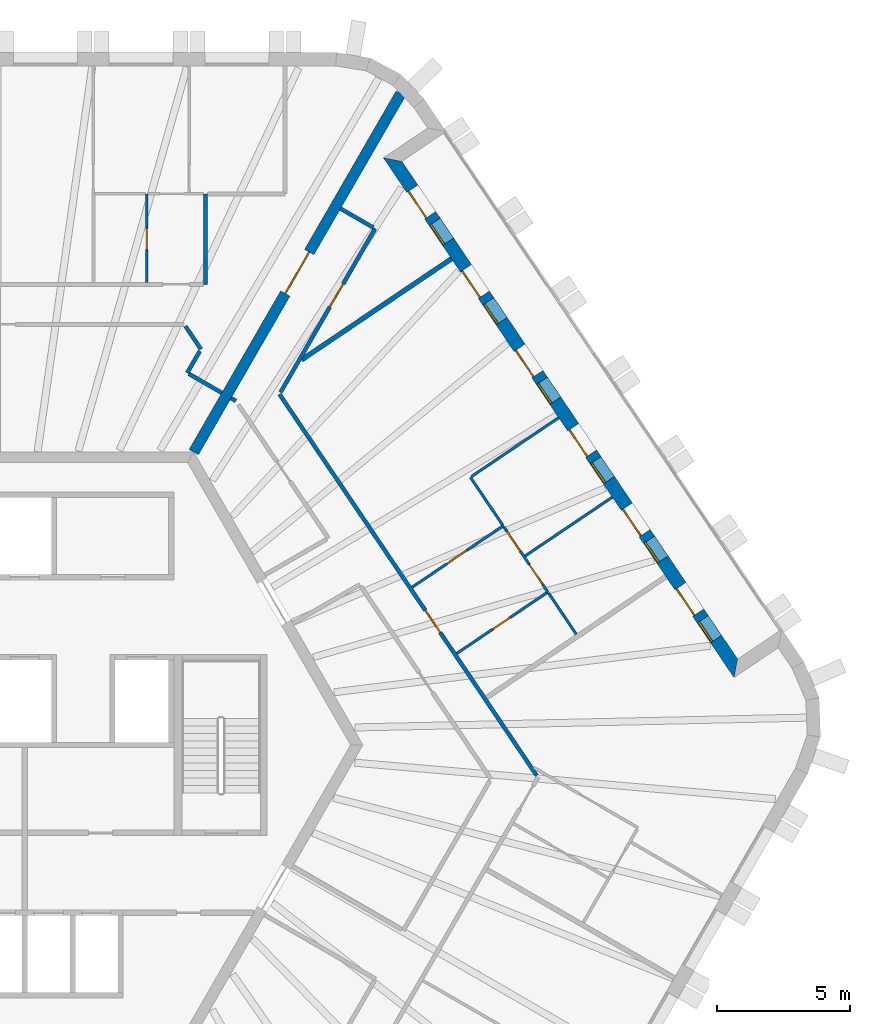
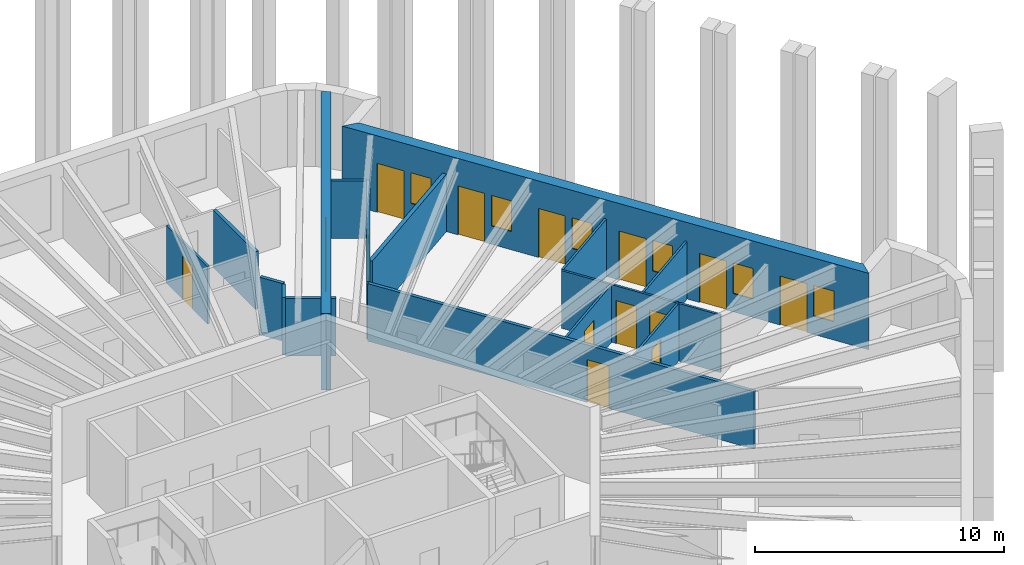
# One storey, part 10 of 13: 19 walls, 14 doors, 6 windows, 20 openings.
"""IFC4 building model written with IfcOpenShell, lengths in metres."""

from ifc_helpers import new_model, si_unit, direction, frame, frame_2d, origin, place, context, subcontext, project, spatial, polyline, rectangle, outline, extrude, material, layer, layer_set, type_object, element, fill, save


model = new_model("IFC4")

# Units and contexts
model_context = context("Model", 3, precision=1e-05, world=origin(), true_north=direction((0.0, 1.0)))
body_context = subcontext(model_context, "Body", "Model", "MODEL_VIEW")
ifc_project = project(units=[si_unit("LENGTHUNIT", "METRE"), si_unit("AREAUNIT", "SQUARE_METRE"), si_unit("VOLUMEUNIT", "CUBIC_METRE"), si_unit("PLANEANGLEUNIT", "RADIAN"), si_unit("MASSUNIT", "GRAM", prefix="KILO")], contexts=[model_context])

# Site, building, storey
site_placement = place(None, origin())
site = spatial("IfcSite", under=ifc_project, at=site_placement, CompositionType="ELEMENT")
building_placement = place(site_placement, origin())
building = spatial("IfcBuilding", under=site, at=building_placement, Name="Tarnside Tower", CompositionType="ELEMENT")
storey_placement = place(building_placement, frame((0.0, 0.0, 256.199951171875)))
storey = spatial("IfcBuildingStorey", under=building, at=storey_placement, Name="L61", CompositionType="ELEMENT", Elevation=256.199951171875)

# Wall, opening, door
ifc_material_1 = material(Name="Gypsum board partition on steel studs", Category="steel")
ifc_layer_1 = layer(ifc_material_1, 0.10009765625)
ifc_layer_set_1 = layer_set([ifc_layer_1], Name="Bathroom wall 100")
wall_type_1 = type_object("IfcWallType", Name="Bathroom wall 100", PredefinedType="PARTITIONING", material=ifc_layer_set_1)
wall_1_placement = place(storey_placement, frame((4.586181640625, 20.699951171875, 0.0), z_axis=(0.0, 0.0, 1.0), x_axis=(0.0, -1.0, 0.0)))
wall_1 = element("IfcWall", 1, at=wall_1_placement, inside=storey, type_object=wall_type_1, Name="Bathroom wall 20085", PredefinedType="PARTITIONING", context=body_context, shape_type="SweptSolid", body=[
    extrude(rectangle(XDim=3.324951171875, YDim=0.10009765625, at=frame_2d((1.66259765625, 0.0))), origin(), (0.0, 0.0, 1.0), 2.823486328125),
])
opening_1_placement = place(wall_1_placement, frame((1.300048828125, 0.0, 0.0)))
opening_1 = element("IfcOpeningElement", 2, at=opening_1_placement, cuts=wall_1, Name="Opening D-B1", PredefinedType="OPENING", context=body_context, shape_type="SweptSolid", body=[
    extrude(rectangle(XDim=0.800048828125, YDim=2.10009765625, at=frame_2d((0.39990234375, 1.050048828125))), frame((0.0, 0.06005859375, 0.0), z_axis=(0.0, -1.0, 0.0), x_axis=(1.0, 0.0, 0.0)), (0.0, 0.0, 1.0), 0.1201171875),
])
ifc_material_2 = material(Name="Timber door leaf", Category="wood")
door_type_1 = type_object("IfcDoorType", Name="Bathroom door 800", OperationType="NOTDEFINED", PredefinedType="DOOR", material=ifc_material_2)
door_1_placement = place(opening_1_placement, origin())
door_1 = element("IfcDoor", 3, at=door_1_placement, inside=storey, type_object=door_type_1, Name="Bathroom door 20002", OperationType="SINGLE_SWING_LEFT", OverallHeight=2.10009765625, OverallWidth=0.800048828125, PredefinedType="DOOR", context=body_context, shape_type="SweptSolid", body=[
    extrude(rectangle(XDim=0.800048828125, YDim=2.10009765625, at=frame_2d((0.39990234375, 1.050048828125))), frame((0.0, 0.02490234375, 0.0), z_axis=(0.0, -1.0, 0.0), x_axis=(1.0, 0.0, 0.0)), (0.0, 0.0, 1.0), 0.050048828125),
])
fill(opening_1, door_1)

wall_2_placement = place(storey_placement, frame((16.227294921875, 3.43701171875, 0.0), z_axis=(0.0, 0.0, 1.0), x_axis=(0.829033204172, 0.559199379811, 0.0)))
wall_2 = element("IfcWall", 4, at=wall_2_placement, inside=storey, type_object=wall_type_1, Name="Bathroom wall 20163", PredefinedType="PARTITIONING", context=body_context, shape_type="SweptSolid", body=[
    extrude(rectangle(XDim=4.125, YDim=0.10009765625, at=frame_2d((2.0625, 0.0))), origin(), (0.0, 0.0, 1.0), 2.823486328125),
])
opening_2_placement = place(wall_2_placement, frame((1.625, 0.0, 0.0)))
opening_2 = element("IfcOpeningElement", 5, at=opening_2_placement, cuts=wall_2, Name="Opening D-B1", PredefinedType="OPENING", context=body_context, shape_type="SweptSolid", body=[
    extrude(rectangle(XDim=0.800048828125, YDim=2.10009765625, at=frame_2d((0.39990234375, 1.050048828125))), frame((0.0, 0.06005859375, 0.0), z_axis=(0.0, -1.0, 0.0), x_axis=(1.0, 0.0, 0.0)), (0.0, 0.0, 1.0), 0.1201171875),
])
door_2_placement = place(opening_2_placement, origin())
door_2 = element("IfcDoor", 6, at=door_2_placement, inside=storey, type_object=door_type_1, Name="Bathroom door 20066", OperationType="SINGLE_SWING_RIGHT", OverallHeight=2.10009765625, OverallWidth=0.800048828125, PredefinedType="DOOR", context=body_context, shape_type="SweptSolid", body=[
    extrude(rectangle(XDim=0.800048828125, YDim=2.10009765625, at=frame_2d((0.39990234375, 1.050048828125))), frame((0.0, 0.02490234375, 0.0), z_axis=(0.0, -1.0, 0.0), x_axis=(1.0, 0.0, 0.0)), (0.0, 0.0, 1.0), 0.050048828125),
])
fill(opening_2, door_2)

# Wall
wall_3_placement = place(storey_placement, frame((20.715087890625, 4.16015625, 0.0), z_axis=(0.0, 0.0, 1.0), x_axis=(-0.559200351269, 0.829032548903, 0.0)))
element("IfcWall", 7, at=wall_3_placement, inside=storey, type_object=wall_type_1, Name="Bathroom wall 20166", PredefinedType="PARTITIONING", context=body_context, shape_type="SweptSolid", body=[
    extrude(rectangle(XDim=1.862060546875, YDim=0.10009765625, at=frame_2d((0.93115234375, 0.0))), origin(), (0.0, 0.0, 1.0), 2.823486328125),
])

# Wall, opening, door
ifc_material_3 = material(Name="Concrete C60/75", Category="concrete")
ifc_layer_2 = layer(ifc_material_3, 0.39990234375)
ifc_layer_set_2 = layer_set([ifc_layer_2], Name="Core wall Z3 400 C60/75")
wall_type_2 = type_object("IfcWallType", Name="Core wall Z3 400 C60/75", PredefinedType="SHEAR", material=ifc_layer_set_2)
wall_4_placement = place(storey_placement, frame((6.350830078125, 11.0, 0.0), z_axis=(0.0, 0.0, 1.0), x_axis=(0.499998894578, 0.866026041999, 0.0)))
wall_4 = element("IfcWall", 8, at=wall_4_placement, inside=storey, type_object=wall_type_2, Name="L61 spine wall 1", PredefinedType="SHEAR", context=body_context, shape_type="SweptSolid", body=[
    extrude(rectangle(XDim=15.54443359375, YDim=0.39990234375, at=frame_2d((7.772216796875, 0.0))), origin(), (0.0, 0.0, 1.0), 3.75),
])
opening_3_placement = place(wall_4_placement, frame((6.872314453125, 0.0, 0.0)))
opening_3 = element("IfcOpeningElement", 9, at=opening_3_placement, cuts=wall_4, Name="Opening CD-SPN", PredefinedType="OPENING", context=body_context, shape_type="SweptSolid", body=[
    extrude(rectangle(XDim=1.800048828125, YDim=2.39990234375, at=frame_2d((0.89990234375, 1.199951171875))), frame((0.0, 0.2099609375, 0.0), z_axis=(0.0, -1.0, 0.0), x_axis=(1.0, 0.0, 0.0)), (0.0, 0.0, 1.0), 0.419921875),
])
ifc_material_4 = material(Name="Steel fire door", Category="steel")
door_type_2 = type_object("IfcDoorType", Name="Spine passage double door FD60 1800x2400", OperationType="NOTDEFINED", PredefinedType="DOOR", material=ifc_material_4)
door_3_placement = place(opening_3_placement, origin())
door_3 = element("IfcDoor", 10, at=door_3_placement, inside=storey, type_object=door_type_2, Name="L61 spine passage door 1", OperationType="DOUBLE_DOOR_SINGLE_SWING", OverallHeight=2.39990234375, OverallWidth=1.800048828125, PredefinedType="DOOR", context=body_context, shape_type="SweptSolid", body=[
    extrude(rectangle(XDim=1.800048828125, YDim=2.39990234375, at=frame_2d((0.89990234375, 1.199951171875))), frame((0.0, 0.02490234375, 0.0), z_axis=(0.0, -1.0, 0.0), x_axis=(1.0, 0.0, 0.0)), (0.0, 0.0, 1.0), 0.050048828125),
])
fill(opening_3, door_3)

# Walls
ifc_layer_3 = layer(ifc_material_1, 0.14990234375)
ifc_layer_set_3 = layer_set([ifc_layer_3], Name="Corridor wall 150 EI 60")
wall_type_3 = type_object("IfcWallType", Name="Corridor wall 150 EI 60", PredefinedType="PARTITIONING", material=ifc_layer_set_3)
wall_5_placement = place(storey_placement, frame((6.7861328125, 20.699951171875, 0.0), z_axis=(0.0, 0.0, 1.0), x_axis=(0.0, -1.0, 0.0)))
element("IfcWall", 11, at=wall_5_placement, inside=storey, type_object=wall_type_3, Name="Corridor wall 20002", PredefinedType="PARTITIONING", context=body_context, shape_type="SweptSolid", body=[
    extrude(rectangle(XDim=3.39990234375, YDim=0.14990234375, at=frame_2d((1.699951171875, 0.0))), origin(), (0.0, 0.0, 1.0), 2.823486328125),
])
wall_6_placement = place(storey_placement, frame((6.0390625, 15.72509765625, 0.0), z_axis=(0.0, 0.0, 1.0), x_axis=(0.559307154107, -0.828960498073, 0.0)))
element("IfcWall", 12, at=wall_6_placement, inside=storey, type_object=wall_type_3, Name="Corridor wall 20020", PredefinedType="PARTITIONING", context=body_context, shape_type="SweptSolid", body=[
    extrude(rectangle(XDim=1.03759765625, YDim=0.14990234375, at=frame_2d((0.518798828125, 0.0))), origin(), (0.0, 0.0, 1.0), 2.823486328125),
])
wall_7_placement = place(storey_placement, frame((6.57763671875, 14.792724609375, 0.0), z_axis=(0.0, 0.0, 1.0), x_axis=(-0.499998034377, -0.866026538634, 0.0)))
element("IfcWall", 13, at=wall_7_placement, inside=storey, type_object=wall_type_3, Name="Corridor wall 20021", PredefinedType="PARTITIONING", context=body_context, shape_type="SweptSolid", body=[
    extrude(rectangle(XDim=0.94580078125, YDim=0.14990234375, at=frame_2d((0.472900390625, 0.0))), origin(), (0.0, 0.0, 1.0), 2.823486328125),
])
wall_8_placement = place(storey_placement, frame((6.169677734375, 13.936279296875, 0.0), z_axis=(0.0, 0.0, 1.0), x_axis=(0.865988727248, -0.500063520245, 0.0)))
element("IfcWall", 14, at=wall_8_placement, inside=storey, type_object=wall_type_3, Name="Corridor wall 20022", PredefinedType="PARTITIONING", context=body_context, shape_type="SweptSolid", body=[
    extrude(rectangle(XDim=1.425048828125, YDim=0.14990234375, at=frame_2d((0.71240234375, 0.0))), origin(), (0.0, 0.0, 1.0), 2.823486328125),
])

# Wall, opening, door
wall_9_placement = place(storey_placement, frame((19.22802734375, -1.14599609375, 0.0), z_axis=(0.0, 0.0, 1.0), x_axis=(-0.559190017735, 0.829039519001, 0.0)))
wall_9 = element("IfcWall", 15, at=wall_9_placement, inside=storey, type_object=wall_type_3, Name="Corridor wall 20059", PredefinedType="PARTITIONING", context=body_context, shape_type="SweptSolid", body=[
    extrude(rectangle(XDim=17.273193359375, YDim=0.14990234375, at=frame_2d((8.63671875, 0.0))), origin(), (0.0, 0.0, 1.0), 2.823486328125),
])
opening_4_placement = place(wall_9_placement, frame((6.4775390625, 0.0, 0.0)))
opening_4 = element("IfcOpeningElement", 16, at=opening_4_placement, cuts=wall_9, Name="Opening D-E1", PredefinedType="OPENING", context=body_context, shape_type="SweptSolid", body=[
    extrude(rectangle(XDim=1.0, YDim=2.10009765625, at=frame_2d((0.5, 1.050048828125))), frame((0.0, 0.0849609375, 0.0), z_axis=(0.0, -1.0, 0.0), x_axis=(1.0, 0.0, 0.0)), (0.0, 0.0, 1.0), 0.169921875),
])
door_type_3 = type_object("IfcDoorType", Name="Unit entrance door 1000 FD30S", OperationType="NOTDEFINED", PredefinedType="DOOR", material=ifc_material_2)
door_4_placement = place(opening_4_placement, origin())
door_4 = element("IfcDoor", 17, at=door_4_placement, inside=storey, type_object=door_type_3, Name="Unit door 20065", OperationType="SINGLE_SWING_RIGHT", OverallHeight=2.10009765625, OverallWidth=1.0, PredefinedType="DOOR", context=body_context, shape_type="SweptSolid", body=[
    extrude(rectangle(XDim=1.0, YDim=2.10009765625, at=frame_2d((0.5, 1.050048828125))), frame((0.0, 0.02490234375, 0.0), z_axis=(0.0, -1.0, 0.0), x_axis=(1.0, 0.0, 0.0)), (0.0, 0.0, 1.0), 0.050048828125),
])
fill(opening_4, door_4)

wall_10_placement = place(storey_placement, frame((9.61083984375, 13.246337890625, 0.0), z_axis=(0.0, 0.0, 1.0), x_axis=(0.499994435258, 0.866028616566, 0.0)))
wall_10 = element("IfcWall", 18, at=wall_10_placement, inside=storey, type_object=wall_type_3, Name="Corridor wall 20064", PredefinedType="PARTITIONING", context=body_context, shape_type="SweptSolid", body=[
    extrude(rectangle(XDim=7.0966796875, YDim=0.14990234375, at=frame_2d((3.54833984375, 0.0))), origin(), (0.0, 0.0, 1.0), 2.823486328125),
])
opening_5_placement = place(wall_10_placement, frame((3.696044921875, 0.0, 0.0)))
opening_5 = element("IfcOpeningElement", 19, at=opening_5_placement, cuts=wall_10, Name="Opening D-E1", PredefinedType="OPENING", context=body_context, shape_type="SweptSolid", body=[
    extrude(rectangle(XDim=1.0, YDim=2.10009765625, at=frame_2d((0.5, 1.050048828125))), frame((0.0, 0.0849609375, 0.0), z_axis=(0.0, -1.0, 0.0), x_axis=(1.0, 0.0, 0.0)), (0.0, 0.0, 1.0), 0.169921875),
])
door_5_placement = place(opening_5_placement, origin())
door_5 = element("IfcDoor", 20, at=door_5_placement, inside=storey, type_object=door_type_3, Name="Unit door 20070", OperationType="SINGLE_SWING_RIGHT", OverallHeight=2.10009765625, OverallWidth=1.0, PredefinedType="DOOR", context=body_context, shape_type="SweptSolid", body=[
    extrude(rectangle(XDim=1.0, YDim=2.10009765625, at=frame_2d((0.5, 1.050048828125))), frame((0.0, 0.02490234375, 0.0), z_axis=(0.0, -1.0, 0.0), x_axis=(1.0, 0.0, 0.0)), (0.0, 0.0, 1.0), 0.050048828125),
])
fill(opening_5, door_5)

# Walls
wall_11_placement = place(storey_placement, frame((13.09423828125, 19.429931640625, 0.0), z_axis=(0.0, 0.0, 1.0), x_axis=(-0.866062911188, 0.499935029643, 0.0)))
element("IfcWall", 21, at=wall_11_placement, inside=storey, type_object=wall_type_3, Name="Corridor wall 20068", PredefinedType="PARTITIONING", context=body_context, shape_type="SweptSolid", body=[
    extrude(rectangle(XDim=1.425048828125, YDim=0.14990234375, at=frame_2d((0.71240234375, 0.0))), origin(), (0.0, 0.0, 1.0), 2.823486328125),
])
wall_12_placement = place(storey_placement, frame((7.750244140625, 13.023681640625, 0.0), z_axis=(0.0, 0.0, 1.0), x_axis=(0.866088799389, -0.499890179513, 0.0)))
element("IfcWall", 22, at=wall_12_placement, inside=storey, type_object=wall_type_3, Name="Corridor wall 20078", PredefinedType="PARTITIONING", context=body_context, shape_type="SweptSolid", body=[
    extrude(rectangle(XDim=0.2099609375, YDim=0.14990234375, at=frame_2d((0.10498046875, 0.0))), origin(), (0.0, 0.0, 1.0), 2.823486328125),
])
ifc_layer_4 = layer(ifc_material_1, 0.179931640625)
ifc_layer_set_4 = layer_set([ifc_layer_4], Name="Demising wall 180 EI 60")
wall_type_4 = type_object("IfcWallType", Name="Demising wall 180 EI 60", PredefinedType="PARTITIONING", material=ifc_layer_set_4)
wall_13_placement = place(storey_placement, frame((16.029296875, 18.260498046875, 0.0), z_axis=(0.0, 0.0, 1.0), x_axis=(-0.82904538001, -0.559181328268, 0.0)))
element("IfcWall", 23, at=wall_13_placement, inside=storey, type_object=wall_type_4, Name="Demising wall 20162", PredefinedType="PARTITIONING", context=body_context, shape_type="SweptSolid", body=[
    extrude(rectangle(XDim=6.78955078125, YDim=0.179931640625, at=frame_2d((3.394775390625, 0.0))), origin(), (0.0, 0.0, 1.0), 2.823486328125),
])

# Wall, openings, doors, windows
ifc_material_5 = material(Name="Dark zinc cladding")
ifc_layer_5 = layer(ifc_material_5, 0.10205078125)
ifc_material_6 = material(Name="Concrete C60/75 precast", Category="concrete")
ifc_layer_6 = layer(ifc_material_6, 0.298095703125)
ifc_material_7 = material(Name="Mineral wool insulation")
ifc_layer_7 = layer(ifc_material_7, 0.10009765625)
ifc_layer_set_5 = layer_set([ifc_layer_5, ifc_layer_6, ifc_layer_7], Name="Loggia wall 500 zinc faced")
wall_type_5 = type_object("IfcWallType", Name="Loggia wall 500 zinc faced", PredefinedType="SOLIDWALL", material=ifc_layer_set_5)
wall_14_placement = place(storey_placement, frame((26.705810546875, 2.87890625, 0.0), z_axis=(0.0, 0.0, 1.0), x_axis=(-0.559197891507, 0.829034208061, 0.0)))
wall_14 = element("IfcWall", 24, at=wall_14_placement, inside=storey, type_object=wall_type_5, Name="Tube wall L61 F6 back 30", PredefinedType="SOLIDWALL", context=body_context, shape_type="SweptSolid", body=[
    extrude(outline(polyline([(0.25, -0.25), (22.794677734375, -0.25), (23.294677734375, 0.25), (-0.25, 0.25), (0.25, -0.25)])), origin(), (0.0, 0.0, 1.0), 3.75),
])
opening_6_placement = place(wall_14_placement, frame((1.322509765625, 0.0, 0.89990234375)))
opening_6 = element("IfcOpeningElement", 25, at=opening_6_placement, cuts=wall_14, Name="Opening WL500", PredefinedType="OPENING", context=body_context, shape_type="SweptSolid", body=[
    extrude(rectangle(XDim=0.89990234375, YDim=1.5, at=frame_2d((0.449951171875, 0.75))), frame((0.0, 0.260009765625, 0.0), z_axis=(0.0, -1.0, 0.0), x_axis=(1.0, 0.0, 0.0)), (0.0, 0.0, 1.0), 0.52001953125),
])
opening_7_placement = place(wall_14_placement, frame((2.5224609375, 0.0, 0.0)))
opening_7 = element("IfcOpeningElement", 26, at=opening_7_placement, cuts=wall_14, Name="Opening DB500", PredefinedType="OPENING", context=body_context, shape_type="SweptSolid", body=[
    extrude(rectangle(XDim=1.199951171875, YDim=2.39990234375, at=frame_2d((0.60009765625, 1.199951171875))), frame((0.0, 0.260009765625, 0.0), z_axis=(0.0, -1.0, 0.0), x_axis=(1.0, 0.0, 0.0)), (0.0, 0.0, 1.0), 0.52001953125),
])
opening_8_placement = place(wall_14_placement, frame((4.92236328125, 0.0, 0.89990234375)))
opening_8 = element("IfcOpeningElement", 27, at=opening_8_placement, cuts=wall_14, Name="Opening WL500", PredefinedType="OPENING", context=body_context, shape_type="SweptSolid", body=[
    extrude(rectangle(XDim=0.89990234375, YDim=1.5, at=frame_2d((0.449951171875, 0.75))), frame((0.0, 0.260009765625, 0.0), z_axis=(0.0, -1.0, 0.0), x_axis=(1.0, 0.0, 0.0)), (0.0, 0.0, 1.0), 0.52001953125),
])
opening_9_placement = place(wall_14_placement, frame((6.122314453125, 0.0, 0.0)))
opening_9 = element("IfcOpeningElement", 28, at=opening_9_placement, cuts=wall_14, Name="Opening DB500", PredefinedType="OPENING", context=body_context, shape_type="SweptSolid", body=[
    extrude(rectangle(XDim=1.199951171875, YDim=2.39990234375, at=frame_2d((0.60009765625, 1.199951171875))), frame((0.0, 0.260009765625, 0.0), z_axis=(0.0, -1.0, 0.0), x_axis=(1.0, 0.0, 0.0)), (0.0, 0.0, 1.0), 0.52001953125),
])
opening_10_placement = place(wall_14_placement, frame((8.5224609375, 0.0, 0.89990234375)))
opening_10 = element("IfcOpeningElement", 29, at=opening_10_placement, cuts=wall_14, Name="Opening WL500", PredefinedType="OPENING", context=body_context, shape_type="SweptSolid", body=[
    extrude(rectangle(XDim=0.89990234375, YDim=1.5, at=frame_2d((0.449951171875, 0.75))), frame((0.0, 0.260009765625, 0.0), z_axis=(0.0, -1.0, 0.0), x_axis=(1.0, 0.0, 0.0)), (0.0, 0.0, 1.0), 0.52001953125),
])
opening_11_placement = place(wall_14_placement, frame((9.722412109375, 0.0, 0.0)))
opening_11 = element("IfcOpeningElement", 30, at=opening_11_placement, cuts=wall_14, Name="Opening DB500", PredefinedType="OPENING", context=body_context, shape_type="SweptSolid", body=[
    extrude(rectangle(XDim=1.199951171875, YDim=2.39990234375, at=frame_2d((0.60009765625, 1.199951171875))), frame((0.0, 0.260009765625, 0.0), z_axis=(0.0, -1.0, 0.0), x_axis=(1.0, 0.0, 0.0)), (0.0, 0.0, 1.0), 0.52001953125),
])
opening_12_placement = place(wall_14_placement, frame((12.122314453125, 0.0, 0.89990234375)))
opening_12 = element("IfcOpeningElement", 31, at=opening_12_placement, cuts=wall_14, Name="Opening WL500", PredefinedType="OPENING", context=body_context, shape_type="SweptSolid", body=[
    extrude(rectangle(XDim=0.89990234375, YDim=1.5, at=frame_2d((0.449951171875, 0.75))), frame((0.0, 0.260009765625, 0.0), z_axis=(0.0, -1.0, 0.0), x_axis=(1.0, 0.0, 0.0)), (0.0, 0.0, 1.0), 0.52001953125),
])
opening_13_placement = place(wall_14_placement, frame((13.322509765625, 0.0, 0.0)))
opening_13 = element("IfcOpeningElement", 32, at=opening_13_placement, cuts=wall_14, Name="Opening DB500", PredefinedType="OPENING", context=body_context, shape_type="SweptSolid", body=[
    extrude(rectangle(XDim=1.199951171875, YDim=2.39990234375, at=frame_2d((0.60009765625, 1.199951171875))), frame((0.0, 0.260009765625, 0.0), z_axis=(0.0, -1.0, 0.0), x_axis=(1.0, 0.0, 0.0)), (0.0, 0.0, 1.0), 0.52001953125),
])
opening_14_placement = place(wall_14_placement, frame((15.722412109375, 0.0, 0.89990234375)))
opening_14 = element("IfcOpeningElement", 33, at=opening_14_placement, cuts=wall_14, Name="Opening WL500", PredefinedType="OPENING", context=body_context, shape_type="SweptSolid", body=[
    extrude(rectangle(XDim=0.89990234375, YDim=1.5, at=frame_2d((0.449951171875, 0.75))), frame((0.0, 0.260009765625, 0.0), z_axis=(0.0, -1.0, 0.0), x_axis=(1.0, 0.0, 0.0)), (0.0, 0.0, 1.0), 0.52001953125),
])
opening_15_placement = place(wall_14_placement, frame((16.92236328125, 0.0, 0.0)))
opening_15 = element("IfcOpeningElement", 34, at=opening_15_placement, cuts=wall_14, Name="Opening DB500", PredefinedType="OPENING", context=body_context, shape_type="SweptSolid", body=[
    extrude(rectangle(XDim=1.199951171875, YDim=2.39990234375, at=frame_2d((0.60009765625, 1.199951171875))), frame((0.0, 0.260009765625, 0.0), z_axis=(0.0, -1.0, 0.0), x_axis=(1.0, 0.0, 0.0)), (0.0, 0.0, 1.0), 0.52001953125),
])
opening_16_placement = place(wall_14_placement, frame((19.322509765625, 0.0, 0.89990234375)))
opening_16 = element("IfcOpeningElement", 35, at=opening_16_placement, cuts=wall_14, Name="Opening WL500", PredefinedType="OPENING", context=body_context, shape_type="SweptSolid", body=[
    extrude(rectangle(XDim=0.89990234375, YDim=1.5, at=frame_2d((0.449951171875, 0.75))), frame((0.0, 0.260009765625, 0.0), z_axis=(0.0, -1.0, 0.0), x_axis=(1.0, 0.0, 0.0)), (0.0, 0.0, 1.0), 0.52001953125),
])
opening_17_placement = place(wall_14_placement, frame((20.5224609375, 0.0, 0.0)))
opening_17 = element("IfcOpeningElement", 36, at=opening_17_placement, cuts=wall_14, Name="Opening DB500", PredefinedType="OPENING", context=body_context, shape_type="SweptSolid", body=[
    extrude(rectangle(XDim=1.199951171875, YDim=2.39990234375, at=frame_2d((0.60009765625, 1.199951171875))), frame((0.0, 0.260009765625, 0.0), z_axis=(0.0, -1.0, 0.0), x_axis=(1.0, 0.0, 0.0)), (0.0, 0.0, 1.0), 0.52001953125),
])
ifc_material_8 = material(Name="Aluminium-framed double glazing", Category="aluminium")
door_type_4 = type_object("IfcDoorType", Name="Balcony sliding door 1200 x 2400 in 500 wall", OperationType="SLIDING_TO_LEFT", PredefinedType="DOOR", material=ifc_material_8)
door_6_placement = place(opening_7_placement, frame((0.0, 0.1748046875, 0.0)))
door_6 = element("IfcDoor", 37, at=door_6_placement, inside=storey, type_object=door_type_4, Name="E.BD.L61.F6.00", OperationType="SLIDING_TO_LEFT", OverallHeight=2.39990234375, OverallWidth=1.199951171875, PredefinedType="DOOR", context=body_context, shape_type="SweptSolid", body=[
    extrude(rectangle(XDim=1.199951171875, YDim=2.39990234375, at=frame_2d((0.60009765625, 1.199951171875))), frame((0.0, 0.02490234375, 0.0), z_axis=(0.0, -1.0, 0.0), x_axis=(1.0, 0.0, 0.0)), (0.0, 0.0, 1.0), 0.050048828125),
])
fill(opening_7, door_6)
door_7_placement = place(opening_9_placement, frame((0.0, 0.1748046875, 0.0)))
door_7 = element("IfcDoor", 38, at=door_7_placement, inside=storey, type_object=door_type_4, Name="E.BD.L61.F6.01", OperationType="SLIDING_TO_LEFT", OverallHeight=2.39990234375, OverallWidth=1.199951171875, PredefinedType="DOOR", context=body_context, shape_type="SweptSolid", body=[
    extrude(rectangle(XDim=1.199951171875, YDim=2.39990234375, at=frame_2d((0.60009765625, 1.199951171875))), frame((0.0, 0.02490234375, 0.0), z_axis=(0.0, -1.0, 0.0), x_axis=(1.0, 0.0, 0.0)), (0.0, 0.0, 1.0), 0.050048828125),
])
fill(opening_9, door_7)
door_8_placement = place(opening_11_placement, frame((0.0, 0.1748046875, 0.0)))
door_8 = element("IfcDoor", 39, at=door_8_placement, inside=storey, type_object=door_type_4, Name="E.BD.L61.F6.02", OperationType="SLIDING_TO_LEFT", OverallHeight=2.39990234375, OverallWidth=1.199951171875, PredefinedType="DOOR", context=body_context, shape_type="SweptSolid", body=[
    extrude(rectangle(XDim=1.199951171875, YDim=2.39990234375, at=frame_2d((0.60009765625, 1.199951171875))), frame((0.0, 0.02490234375, 0.0), z_axis=(0.0, -1.0, 0.0), x_axis=(1.0, 0.0, 0.0)), (0.0, 0.0, 1.0), 0.050048828125),
])
fill(opening_11, door_8)
door_9_placement = place(opening_13_placement, frame((0.0, 0.1748046875, 0.0)))
door_9 = element("IfcDoor", 40, at=door_9_placement, inside=storey, type_object=door_type_4, Name="E.BD.L61.F6.03", OperationType="SLIDING_TO_LEFT", OverallHeight=2.39990234375, OverallWidth=1.199951171875, PredefinedType="DOOR", context=body_context, shape_type="SweptSolid", body=[
    extrude(rectangle(XDim=1.199951171875, YDim=2.39990234375, at=frame_2d((0.60009765625, 1.199951171875))), frame((0.0, 0.02490234375, 0.0), z_axis=(0.0, -1.0, 0.0), x_axis=(1.0, 0.0, 0.0)), (0.0, 0.0, 1.0), 0.050048828125),
])
fill(opening_13, door_9)
door_10_placement = place(opening_15_placement, frame((0.0, 0.1748046875, 0.0)))
door_10 = element("IfcDoor", 41, at=door_10_placement, inside=storey, type_object=door_type_4, Name="E.BD.L61.F6.04", OperationType="SLIDING_TO_LEFT", OverallHeight=2.39990234375, OverallWidth=1.199951171875, PredefinedType="DOOR", context=body_context, shape_type="SweptSolid", body=[
    extrude(rectangle(XDim=1.199951171875, YDim=2.39990234375, at=frame_2d((0.60009765625, 1.199951171875))), frame((0.0, 0.02490234375, 0.0), z_axis=(0.0, -1.0, 0.0), x_axis=(1.0, 0.0, 0.0)), (0.0, 0.0, 1.0), 0.050048828125),
])
fill(opening_15, door_10)
door_11_placement = place(opening_17_placement, frame((0.0, 0.1748046875, 0.0)))
door_11 = element("IfcDoor", 42, at=door_11_placement, inside=storey, type_object=door_type_4, Name="E.BD.L61.F6.05", OperationType="SLIDING_TO_LEFT", OverallHeight=2.39990234375, OverallWidth=1.199951171875, PredefinedType="DOOR", context=body_context, shape_type="SweptSolid", body=[
    extrude(rectangle(XDim=1.199951171875, YDim=2.39990234375, at=frame_2d((0.60009765625, 1.199951171875))), frame((0.0, 0.02490234375, 0.0), z_axis=(0.0, -1.0, 0.0), x_axis=(1.0, 0.0, 0.0)), (0.0, 0.0, 1.0), 0.050048828125),
])
fill(opening_17, door_11)
window_type = type_object("IfcWindowType", Name="Loggia window 900 x 1500 in 500 wall", PartitioningType="SINGLE_PANEL", PredefinedType="WINDOW", material=ifc_material_8)
window_1_placement = place(opening_6_placement, frame((0.0, 0.179931640625, 0.0)))
window_1 = element("IfcWindow", 43, at=window_1_placement, inside=storey, type_object=window_type, Name="E.LW.L61.F6.00", OverallHeight=1.5, OverallWidth=0.89990234375, PartitioningType="SINGLE_PANEL", PredefinedType="WINDOW", context=body_context, shape_type="SweptSolid", body=[
    extrude(rectangle(XDim=0.89990234375, YDim=1.5, at=frame_2d((0.449951171875, 0.75))), frame((0.0, 0.030029296875, 0.0), z_axis=(0.0, -1.0, 0.0), x_axis=(1.0, 0.0, 0.0)), (0.0, 0.0, 1.0), 0.06005859375),
])
fill(opening_6, window_1)
window_2_placement = place(opening_8_placement, frame((0.0, 0.179931640625, 0.0)))
window_2 = element("IfcWindow", 44, at=window_2_placement, inside=storey, type_object=window_type, Name="E.LW.L61.F6.01", OverallHeight=1.5, OverallWidth=0.89990234375, PartitioningType="SINGLE_PANEL", PredefinedType="WINDOW", context=body_context, shape_type="SweptSolid", body=[
    extrude(rectangle(XDim=0.89990234375, YDim=1.5, at=frame_2d((0.449951171875, 0.75))), frame((0.0, 0.030029296875, 0.0), z_axis=(0.0, -1.0, 0.0), x_axis=(1.0, 0.0, 0.0)), (0.0, 0.0, 1.0), 0.06005859375),
])
fill(opening_8, window_2)
window_3_placement = place(opening_10_placement, frame((0.0, 0.179931640625, 0.0)))
window_3 = element("IfcWindow", 45, at=window_3_placement, inside=storey, type_object=window_type, Name="E.LW.L61.F6.02", OverallHeight=1.5, OverallWidth=0.89990234375, PartitioningType="SINGLE_PANEL", PredefinedType="WINDOW", context=body_context, shape_type="SweptSolid", body=[
    extrude(rectangle(XDim=0.89990234375, YDim=1.5, at=frame_2d((0.449951171875, 0.75))), frame((0.0, 0.030029296875, 0.0), z_axis=(0.0, -1.0, 0.0), x_axis=(1.0, 0.0, 0.0)), (0.0, 0.0, 1.0), 0.06005859375),
])
fill(opening_10, window_3)
window_4_placement = place(opening_12_placement, frame((0.0, 0.179931640625, 0.0)))
window_4 = element("IfcWindow", 46, at=window_4_placement, inside=storey, type_object=window_type, Name="E.LW.L61.F6.03", OverallHeight=1.5, OverallWidth=0.89990234375, PartitioningType="SINGLE_PANEL", PredefinedType="WINDOW", context=body_context, shape_type="SweptSolid", body=[
    extrude(rectangle(XDim=0.89990234375, YDim=1.5, at=frame_2d((0.449951171875, 0.75))), frame((0.0, 0.030029296875, 0.0), z_axis=(0.0, -1.0, 0.0), x_axis=(1.0, 0.0, 0.0)), (0.0, 0.0, 1.0), 0.06005859375),
])
fill(opening_12, window_4)
window_5_placement = place(opening_14_placement, frame((0.0, 0.179931640625, 0.0)))
window_5 = element("IfcWindow", 47, at=window_5_placement, inside=storey, type_object=window_type, Name="E.LW.L61.F6.04", OverallHeight=1.5, OverallWidth=0.89990234375, PartitioningType="SINGLE_PANEL", PredefinedType="WINDOW", context=body_context, shape_type="SweptSolid", body=[
    extrude(rectangle(XDim=0.89990234375, YDim=1.5, at=frame_2d((0.449951171875, 0.75))), frame((0.0, 0.030029296875, 0.0), z_axis=(0.0, -1.0, 0.0), x_axis=(1.0, 0.0, 0.0)), (0.0, 0.0, 1.0), 0.06005859375),
])
fill(opening_14, window_5)
window_6_placement = place(opening_16_placement, frame((0.0, 0.179931640625, 0.0)))
window_6 = element("IfcWindow", 48, at=window_6_placement, inside=storey, type_object=window_type, Name="E.LW.L61.F6.05", OverallHeight=1.5, OverallWidth=0.89990234375, PartitioningType="SINGLE_PANEL", PredefinedType="WINDOW", context=body_context, shape_type="SweptSolid", body=[
    extrude(rectangle(XDim=0.89990234375, YDim=1.5, at=frame_2d((0.449951171875, 0.75))), frame((0.0, 0.030029296875, 0.0), z_axis=(0.0, -1.0, 0.0), x_axis=(1.0, 0.0, 0.0)), (0.0, 0.0, 1.0), 0.06005859375),
])
fill(opening_16, window_6)

# Wall, opening, door
ifc_layer_8 = layer(ifc_material_1, 0.10009765625)
ifc_layer_set_6 = layer_set([ifc_layer_8], Name="Partition 100")
wall_type_6 = type_object("IfcWallType", Name="Partition 100", PredefinedType="PARTITIONING", material=ifc_layer_set_6)
wall_15_placement = place(storey_placement, frame((14.5498046875, 5.924072265625, 0.0), z_axis=(0.0, 0.0, 1.0), x_axis=(0.829005765264, 0.559240056827, 0.0)))
wall_15 = element("IfcWall", 49, at=wall_15_placement, inside=storey, type_object=wall_type_6, Name="Partition wall 20159", PredefinedType="PARTITIONING", context=body_context, shape_type="SweptSolid", body=[
    extrude(rectangle(XDim=4.125, YDim=0.10009765625, at=frame_2d((2.0625, 0.0))), origin(), (0.0, 0.0, 1.0), 2.823486328125),
])
opening_18_placement = place(wall_15_placement, frame((1.574951171875, 0.0, 0.0)))
opening_18 = element("IfcOpeningElement", 50, at=opening_18_placement, cuts=wall_15, Name="Opening D-I1", PredefinedType="OPENING", context=body_context, shape_type="SweptSolid", body=[
    extrude(rectangle(XDim=0.89990234375, YDim=2.10009765625, at=frame_2d((0.449951171875, 1.050048828125))), frame((0.0, 0.06005859375, 0.0), z_axis=(0.0, -1.0, 0.0), x_axis=(1.0, 0.0, 0.0)), (0.0, 0.0, 1.0), 0.1201171875),
])
door_type_5 = type_object("IfcDoorType", Name="Internal door 900", OperationType="NOTDEFINED", PredefinedType="DOOR", material=ifc_material_2)
door_12_placement = place(opening_18_placement, origin())
door_12 = element("IfcDoor", 51, at=door_12_placement, inside=storey, type_object=door_type_5, Name="Internal door 20067", OperationType="SINGLE_SWING_RIGHT", OverallHeight=2.10009765625, OverallWidth=0.89990234375, PredefinedType="DOOR", context=body_context, shape_type="SweptSolid", body=[
    extrude(rectangle(XDim=0.89990234375, YDim=2.10009765625, at=frame_2d((0.449951171875, 1.050048828125))), frame((0.0, 0.02490234375, 0.0), z_axis=(0.0, -1.0, 0.0), x_axis=(1.0, 0.0, 0.0)), (0.0, 0.0, 1.0), 0.050048828125),
])
fill(opening_18, door_12)

# Walls
wall_16_placement = place(storey_placement, frame((17.970703125, 8.229248046875, 0.0), z_axis=(0.0, 0.0, 1.0), x_axis=(-0.559246231198, 0.829001600053, 0.0)))
element("IfcWall", 52, at=wall_16_placement, inside=storey, type_object=wall_type_6, Name="Partition wall 20160", PredefinedType="PARTITIONING", context=body_context, shape_type="SweptSolid", body=[
    extrude(rectangle(XDim=2.201904296875, YDim=0.10009765625, at=frame_2d((1.10107421875, 0.0))), origin(), (0.0, 0.0, 1.0), 2.823486328125),
])
wall_17_placement = place(storey_placement, frame((16.78076171875, 10.082763671875, 0.0), z_axis=(0.0, 0.0, 1.0), x_axis=(0.829042808667, 0.559185140536, 0.0)))
element("IfcWall", 53, at=wall_17_placement, inside=storey, type_object=wall_type_6, Name="Partition wall 20161", PredefinedType="PARTITIONING", context=body_context, shape_type="SweptSolid", body=[
    extrude(rectangle(XDim=3.949951171875, YDim=0.10009765625, at=frame_2d((1.97509765625, 0.0))), origin(), (0.0, 0.0, 1.0), 2.823486328125),
])

# Wall, openings, doors
wall_18_placement = place(storey_placement, frame((19.648193359375, 5.7421875, 0.0), z_axis=(0.0, 0.0, 1.0), x_axis=(-0.559193191328, 0.829037378393, 0.0)))
wall_18 = element("IfcWall", 54, at=wall_18_placement, inside=storey, type_object=wall_type_6, Name="Partition wall 20164", PredefinedType="PARTITIONING", context=body_context, shape_type="SweptSolid", body=[
    extrude(rectangle(XDim=2.9541015625, YDim=0.10009765625, at=frame_2d((1.47705078125, 0.0))), origin(), (0.0, 0.0, 1.0), 2.823486328125),
])
opening_19_placement = place(wall_18_placement, frame((0.35205078125, 0.0, 0.0)))
opening_19 = element("IfcOpeningElement", 55, at=opening_19_placement, cuts=wall_18, Name="Opening D-I1", PredefinedType="OPENING", context=body_context, shape_type="SweptSolid", body=[
    extrude(rectangle(XDim=0.89990234375, YDim=2.10009765625, at=frame_2d((0.449951171875, 1.050048828125))), frame((0.0, 0.06005859375, 0.0), z_axis=(0.0, -1.0, 0.0), x_axis=(1.0, 0.0, 0.0)), (0.0, 0.0, 1.0), 0.1201171875),
])
opening_20_placement = place(wall_18_placement, frame((1.85205078125, 0.0, 0.0)))
opening_20 = element("IfcOpeningElement", 56, at=opening_20_placement, cuts=wall_18, Name="Opening D-I1", PredefinedType="OPENING", context=body_context, shape_type="SweptSolid", body=[
    extrude(rectangle(XDim=0.89990234375, YDim=2.10009765625, at=frame_2d((0.449951171875, 1.050048828125))), frame((0.0, 0.06005859375, 0.0), z_axis=(0.0, -1.0, 0.0), x_axis=(1.0, 0.0, 0.0)), (0.0, 0.0, 1.0), 0.1201171875),
])
door_13_placement = place(opening_19_placement, origin())
door_13 = element("IfcDoor", 57, at=door_13_placement, inside=storey, type_object=door_type_5, Name="Internal door 20068", OperationType="SINGLE_SWING_RIGHT", OverallHeight=2.10009765625, OverallWidth=0.89990234375, PredefinedType="DOOR", context=body_context, shape_type="SweptSolid", body=[
    extrude(rectangle(XDim=0.89990234375, YDim=2.10009765625, at=frame_2d((0.449951171875, 1.050048828125))), frame((0.0, 0.02490234375, 0.0), z_axis=(0.0, -1.0, 0.0), x_axis=(1.0, 0.0, 0.0)), (0.0, 0.0, 1.0), 0.050048828125),
])
fill(opening_19, door_13)
door_14_placement = place(opening_20_placement, origin())
door_14 = element("IfcDoor", 58, at=door_14_placement, inside=storey, type_object=door_type_5, Name="Internal door 20069", OperationType="SINGLE_SWING_LEFT", OverallHeight=2.10009765625, OverallWidth=0.89990234375, PredefinedType="DOOR", context=body_context, shape_type="SweptSolid", body=[
    extrude(rectangle(XDim=0.89990234375, YDim=2.10009765625, at=frame_2d((0.449951171875, 1.050048828125))), frame((0.0, 0.02490234375, 0.0), z_axis=(0.0, -1.0, 0.0), x_axis=(1.0, 0.0, 0.0)), (0.0, 0.0, 1.0), 0.050048828125),
])
fill(opening_20, door_14)

# Wall
wall_19_placement = place(storey_placement, frame((22.068603515625, 9.306884765625, 0.0), z_axis=(0.0, 0.0, 1.0), x_axis=(-0.829062134085, -0.559156487779, 0.0)))
element("IfcWall", 59, at=wall_19_placement, inside=storey, type_object=wall_type_6, Name="Partition wall 20167", PredefinedType="PARTITIONING", context=body_context, shape_type="SweptSolid", body=[
    extrude(rectangle(XDim=3.9501953125, YDim=0.10009765625, at=frame_2d((1.97509765625, 0.0))), origin(), (0.0, 0.0, 1.0), 2.823486328125),
])

save(model, "model.ifc")
